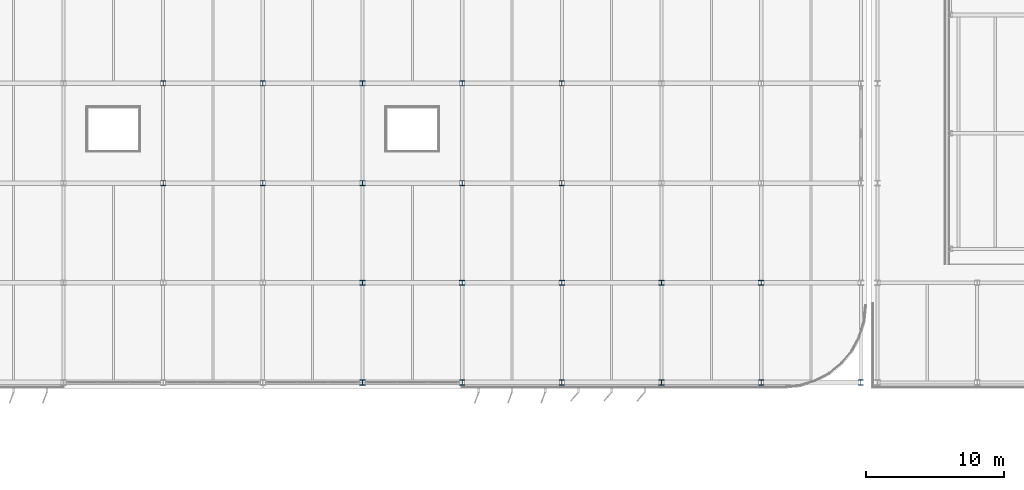
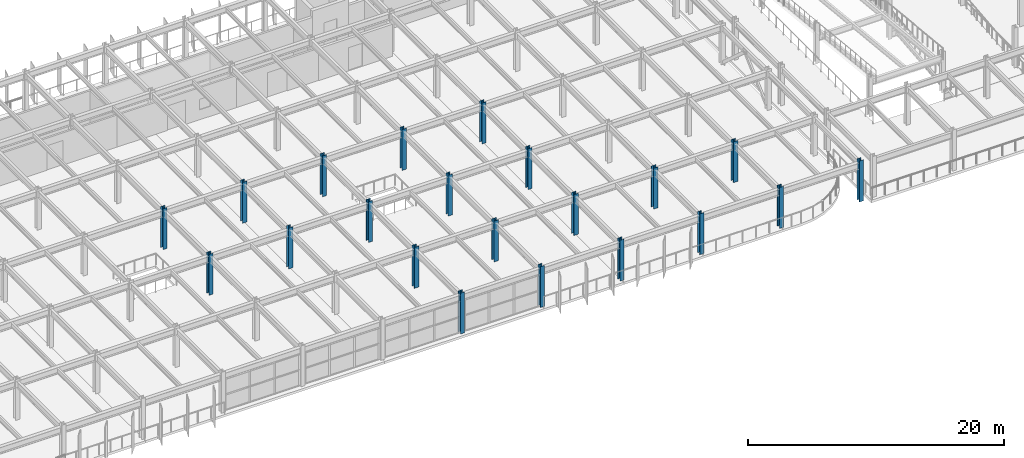
# One storey, part 5 of 80: 21 columns.
"""IFC4 building model written with IfcOpenShell, lengths in metres."""

from ifc_helpers import new_model, si_unit, direction, frame, origin, origin_2d, place, context, subcontext, project, spatial, i_section, extrude, material, material_profile, profile_set, type_object, element, save


model = new_model("IFC4")

# Units and contexts
model_context = context("Model", 3, precision=1e-05, world=origin(), true_north=direction((0.0, 1.0)))
body_context = subcontext(model_context, "Body", "Model", "MODEL_VIEW")
ifc_project = project(units=[si_unit("LENGTHUNIT", "METRE"), si_unit("AREAUNIT", "SQUARE_METRE"), si_unit("VOLUMEUNIT", "CUBIC_METRE"), si_unit("PLANEANGLEUNIT", "RADIAN"), si_unit("MASSUNIT", "GRAM", prefix="KILO")], contexts=[model_context])

# Site, building, storey
site_placement = place(None, origin())
site = spatial("IfcSite", under=ifc_project, at=site_placement, CompositionType="ELEMENT")
building_placement = place(site_placement, origin())
building = spatial("IfcBuilding", under=site, at=building_placement, Name="Vaelcorin Mobility Hub", CompositionType="ELEMENT")
storey_placement = place(building_placement, frame((0.0, 0.0, 9.300048828125)))
storey = spatial("IfcBuildingStorey", under=building, at=storey_placement, Name="L02", CompositionType="ELEMENT", Elevation=9.300048828125)

# Columns
ifc_material = material(Name="Steel ASTM A992 Grade 50", Category="steel")
ifc_material_profile_1 = material_profile(ifc_material, i_section(OverallWidth=0.373046875, OverallDepth=0.373046875, WebThickness=0.016357421875, FlangeThickness=0.026123046875, FilletRadius=0.014892578125, at=origin_2d()), Name="W14X132")
ifc_profile_set_1 = profile_set([ifc_material_profile_1], Name="Steel ASTM A992 Grade 50")
column_type_1 = type_object("IfcColumnType", Name="COL-W14X132", PredefinedType="COLUMN", material=ifc_profile_set_1)
for number, where, z_axis, x_axis, name in (
    (1, (72.0, 91.199951171875, 0.0), (0.0, 0.0, 1.0), (1.0, 0.0, 0.0), "Column V4-X06Y03 L02"),
    (2, (72.0, 98.39990234375, 0.0), (0.0, 0.0, 1.0), (1.0, 0.0, 0.0), "Column V4-X06Y04 L02"),
    (3, (79.199951171875, 91.199951171875, 0.0), (0.0, 0.0, 1.0), (1.0, 0.0, 0.0), "Column V4-X07Y03 L02"),
    (4, (79.199951171875, 98.39990234375, 0.0), (0.0, 0.0, 1.0), (1.0, 0.0, 0.0), "Column V4-X07Y04 L02"),
    (5, (86.39990234375, 76.800048828125, 0.0), (0.0, 0.0, 1.0), (1.0, 0.0, 0.0), "Column V4-X08Y01 L02"),
    (6, (86.39990234375, 91.199951171875, 0.0), (0.0, 0.0, 1.0), (1.0, 0.0, 0.0), "Column V4-X08Y03 L02"),
    (7, (86.39990234375, 98.39990234375, 0.0), (0.0, 0.0, 1.0), (1.0, 0.0, 0.0), "Column V4-X08Y04 L02"),
    (8, (93.60009765625, 76.800048828125, 0.0), (0.0, 0.0, 1.0), (1.0, 0.0, 0.0), "Column V4-X09Y01 L02"),
    (9, (93.60009765625, 91.199951171875, 0.0), (0.0, 0.0, 1.0), (1.0, 0.0, 0.0), "Column V4-X09Y03 L02"),
    (10, (93.60009765625, 98.39990234375, 0.0), (0.0, 0.0, 1.0), (1.0, 0.0, 0.0), "Column V4-X09Y04 L02"),
    (11, (100.800048828125, 76.800048828125, 0.0), (0.0, 0.0, 1.0), (1.0, 0.0, 0.0), "Column V4-X10Y01 L02"),
    (12, (100.800048828125, 91.199951171875, 0.0), (0.0, 0.0, 1.0), (1.0, 0.0, 0.0), "Column V4-X10Y03 L02"),
    (13, (100.800048828125, 98.39990234375, 0.0), (0.0, 0.0, 1.0), (1.0, 0.0, 0.0), "Column V4-X10Y04 L02"),
    (14, (108.0, 76.800048828125, 0.0), (0.0, 0.0, 1.0), (1.0, 0.0, 0.0), "Column V4-X11Y01 L02"),
    (15, (115.199951171875, 76.800048828125, 0.0), (0.0, 0.0, 1.0), (1.0, 0.0, 0.0), "Column V4-X12Y01 L02"),
    (16, (122.39990234375, 76.800048828125, 0.0), (0.0, 0.0, 1.0), (1.0, 0.0, 0.0), "Column V4-X13Y01 L02"),
):
    element("IfcColumn", number, at=place(storey_placement, frame(where, z_axis=z_axis, x_axis=x_axis)), inside=storey, type_object=column_type_1, Name=name, PredefinedType="COLUMN", context=body_context, shape_type="SweptSolid", body=[
        extrude(i_section(OverallWidth=0.373046875, OverallDepth=0.373046875, WebThickness=0.016357421875, FlangeThickness=0.026123046875, FilletRadius=0.014892578125, at=origin_2d()), origin(), (0.0, 0.0, 1.0), 3.89990234375),
    ])
ifc_material_profile_2 = material_profile(ifc_material, i_section(OverallWidth=0.39599609375, OverallDepth=0.381103515625, WebThickness=0.018798828125, FlangeThickness=0.0302734375, FilletRadius=0.014892578125, at=origin_2d()), Name="W14X159")
ifc_profile_set_2 = profile_set([ifc_material_profile_2], Name="Steel ASTM A992 Grade 50")
column_type_2 = type_object("IfcColumnType", Name="COL-W14X159", PredefinedType="COLUMN", material=ifc_profile_set_2)
for number, where, z_axis, x_axis, name in (
    (17, (86.39990234375, 84.0, 0.0), (0.0, 0.0, 1.0), (1.0, 0.0, 0.0), "Column V4-X08Y02 L02"),
    (18, (93.60009765625, 84.0, 0.0), (0.0, 0.0, 1.0), (1.0, 0.0, 0.0), "Column V4-X09Y02 L02"),
    (19, (100.800048828125, 84.0, 0.0), (0.0, 0.0, 1.0), (1.0, 0.0, 0.0), "Column V4-X10Y02 L02"),
    (20, (108.0, 84.0, 0.0), (0.0, 0.0, 1.0), (1.0, 0.0, 0.0), "Column V4-X11Y02 L02"),
    (21, (115.199951171875, 84.0, 0.0), (0.0, 0.0, 1.0), (1.0, 0.0, 0.0), "Column V4-X12Y02 L02"),
):
    element("IfcColumn", number, at=place(storey_placement, frame(where, z_axis=z_axis, x_axis=x_axis)), inside=storey, type_object=column_type_2, Name=name, PredefinedType="COLUMN", context=body_context, shape_type="SweptSolid", body=[
        extrude(i_section(OverallWidth=0.39599609375, OverallDepth=0.381103515625, WebThickness=0.018798828125, FlangeThickness=0.0302734375, FilletRadius=0.014892578125, at=origin_2d()), origin(), (0.0, 0.0, 1.0), 3.89990234375),
    ])

save(model, "model.ifc")
